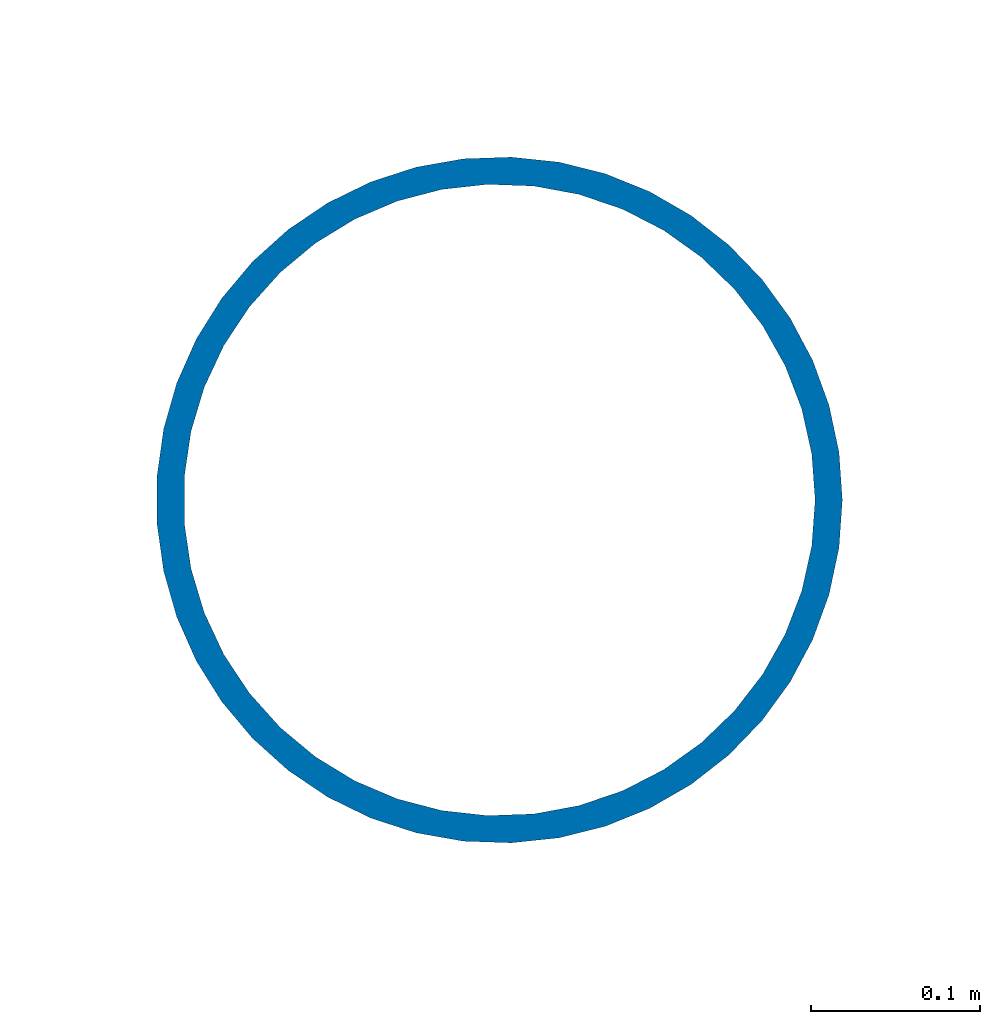
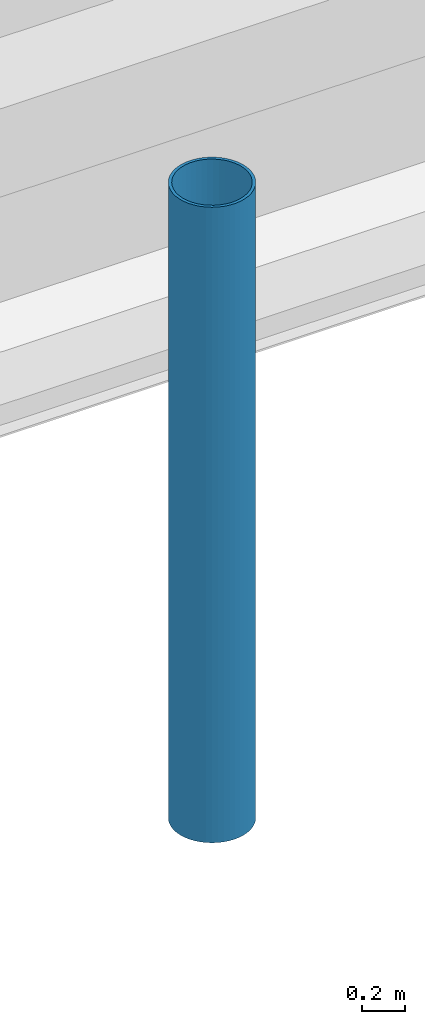
# One storey, part 19 of 142: 1 column.
"""IFC4 building model written with IfcOpenShell, lengths in metres."""

from ifc_helpers import new_model, si_unit, direction, frame, origin, origin_2d, place, context, subcontext, project, spatial, hollow_circle, extrude, material, material_profile, profile_set, type_object, element, save


model = new_model("IFC4")

# Units and contexts
model_context = context("Model", 3, precision=1e-05, world=origin(), true_north=direction((0.0, 1.0)))
body_context = subcontext(model_context, "Body", "Model", "MODEL_VIEW")
ifc_project = project(units=[si_unit("LENGTHUNIT", "METRE"), si_unit("AREAUNIT", "SQUARE_METRE"), si_unit("VOLUMEUNIT", "CUBIC_METRE"), si_unit("PLANEANGLEUNIT", "RADIAN"), si_unit("MASSUNIT", "GRAM", prefix="KILO")], contexts=[model_context])

# Site, building, storey
site_placement = place(None, origin())
site = spatial("IfcSite", under=ifc_project, at=site_placement, CompositionType="ELEMENT")
building_placement = place(site_placement, origin())
building = spatial("IfcBuilding", under=site, at=building_placement, Name="Kupolbacken Congress Centre", CompositionType="ELEMENT")
storey_placement = place(building_placement, frame((0.0, 0.0, 14.39990234375)))
storey = spatial("IfcBuildingStorey", under=building, at=storey_placement, Name="L04", CompositionType="ELEMENT", Elevation=14.39990234375)

# Column
ifc_material = material(Name="Steel S355", Category="steel")
ifc_material_profile = material_profile(ifc_material, hollow_circle(Radius=0.203125, WallThickness=0.01611328125, at=origin_2d()), Name="CHS 406.4 x 16")
ifc_profile_set = profile_set([ifc_material_profile], Name="Steel S355")
column_type = type_object("IfcColumnType", Name="C15 roof mast CHS 406.4 x 16", PredefinedType="COLUMN", material=ifc_profile_set)
column_placement = place(storey_placement, frame((194.39990234375, 118.800048828125, 0.0), z_axis=(0.0, 0.0, 1.0), x_axis=(1.0, 0.0, 0.0)))
element("IfcColumn", 1, at=column_placement, inside=storey, type_object=column_type, Name="Roof mast M8N", PredefinedType="COLUMN", context=body_context, shape_type="SweptSolid", body=[
    extrude(hollow_circle(Radius=0.203125, WallThickness=0.01611328125, at=origin_2d()), origin(), (0.0, 0.0, 1.0), 3.60009765625),
])

save(model, "model.ifc")
